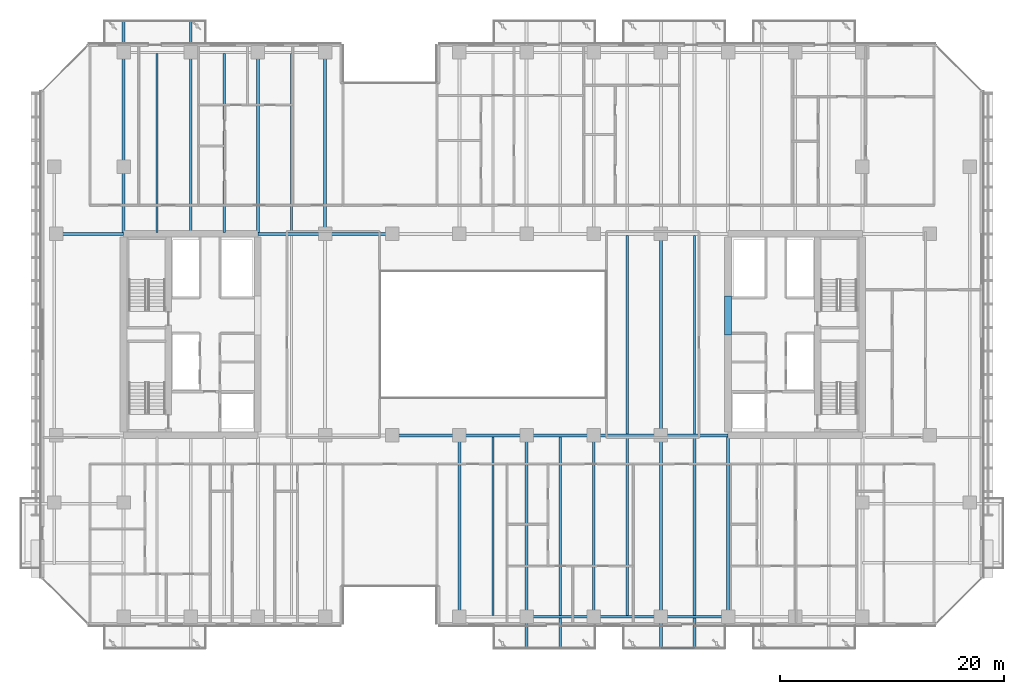
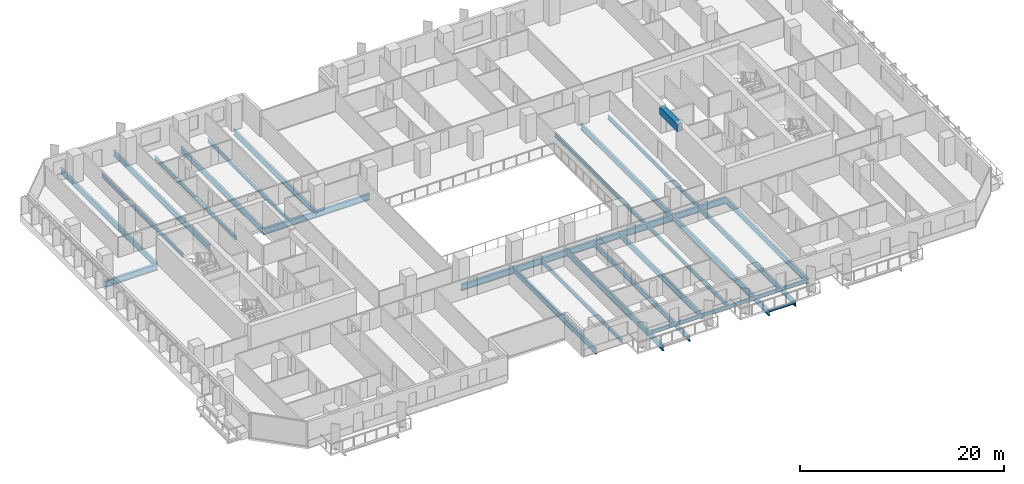
# One storey, part 7 of 33: 32 beams.
"""IFC4 building model written with IfcOpenShell, lengths in metres."""

from ifc_helpers import new_model, si_unit, direction, frame, origin, origin_2d, place, context, subcontext, project, spatial, rectangle, hollow_rectangle, i_section, extrude, material, material_profile, profile_set, type_object, element, save


model = new_model("IFC4")

# Units and contexts
model_context = context("Model", 3, precision=1e-05, world=origin(), true_north=direction((0.0, 1.0)))
body_context = subcontext(model_context, "Body", "Model", "MODEL_VIEW")
ifc_project = project(units=[si_unit("LENGTHUNIT", "METRE"), si_unit("AREAUNIT", "SQUARE_METRE"), si_unit("VOLUMEUNIT", "CUBIC_METRE"), si_unit("PLANEANGLEUNIT", "RADIAN"), si_unit("MASSUNIT", "GRAM", prefix="KILO")], contexts=[model_context])

# Site, building, storey
site_placement = place(None, origin())
site = spatial("IfcSite", under=ifc_project, at=site_placement, CompositionType="ELEMENT")
building_placement = place(site_placement, origin())
building = spatial("IfcBuilding", under=site, at=building_placement, Name="Tanjung Sevakor Pilgrim Tower", CompositionType="ELEMENT")
storey_placement = place(building_placement, frame((0.0, 0.0, 35.639892578125)))
storey = spatial("IfcBuildingStorey", under=building, at=storey_placement, Name="L09", CompositionType="ELEMENT", Elevation=35.639892578125)

# Beams
ifc_material_1 = material(Name="Steel S355J2", Category="steel")
ifc_material_profile_1 = material_profile(ifc_material_1, i_section(OverallWidth=0.26806640625, OverallDepth=0.769775390625, WebThickness=0.015625, FlangeThickness=0.025390625, FilletRadius=0.0166015625, at=origin_2d()))
ifc_profile_set_1 = profile_set([ifc_material_profile_1], Name="Steel S355J2")
beam_type_1 = type_object("IfcBeamType", Name="BM-B-G1-UB_762x267x197", PredefinedType="BEAM", material=ifc_profile_set_1)
for number, where, z_axis, x_axis, name in (
    (1, (48.0, 24.60009765625, -0.604736328125), (1.0, 0.0, 0.0), (0.0, 1.0, 0.0), "L09 Primary Floor Girder MAIN Y246-04"),
    (2, (54.0, 24.60009765625, -0.604736328125), (1.0, 0.0, 0.0), (0.0, 1.0, 0.0), "L09 Primary Floor Girder MAIN Y246-05"),
    (3, (60.0, 24.60009765625, -0.604736328125), (1.0, 0.0, 0.0), (0.0, 1.0, 0.0), "L09 Primary Floor Girder MAIN Y246-06"),
    (4, (66.0, 24.60009765625, -0.604736328125), (1.0, 0.0, 0.0), (0.0, 1.0, 0.0), "L09 Primary Floor Girder MAIN Y246-07"),
    (5, (72.0, 24.60009765625, -0.604736328125), (1.0, 0.0, 0.0), (0.0, 1.0, 0.0), "L09 Primary Floor Girder MAIN Y246-08"),
    (6, (18.0, 42.60009765625, -0.604736328125), (1.0, 0.0, 0.0), (0.0, 1.0, 0.0), "L09 Primary Floor Girder MAIN Y426-01"),
    (7, (36.0, 42.60009765625, -0.604736328125), (1.0, 0.0, 0.0), (0.0, 1.0, 0.0), "L09 Primary Floor Girder MAIN Y426-02"),
    (8, (42.0, 42.60009765625, -0.604736328125), (1.0, 0.0, 0.0), (0.0, 1.0, 0.0), "L09 Primary Floor Girder MAIN Y426-03"),
):
    element("IfcBeam", number, at=place(storey_placement, frame(where, z_axis=z_axis, x_axis=x_axis)), inside=storey, type_object=beam_type_1, Name=name, PredefinedType="BEAM", context=body_context, shape_type="SweptSolid", body=[
        extrude(i_section(OverallWidth=0.26806640625, OverallDepth=0.769775390625, WebThickness=0.015625, FlangeThickness=0.025390625, FilletRadius=0.0166015625, at=origin_2d()), origin(), (0.0, 0.0, 1.0), 6.0),
    ])
ifc_material_2 = material(Name="Steel S355J2", Category="steel")
ifc_material_profile_2 = material_profile(ifc_material_2, i_section(OverallWidth=0.25439453125, OverallDepth=0.6875, WebThickness=0.01318359375, FlangeThickness=0.02099609375, FilletRadius=0.01513671875, at=origin_2d()))
ifc_profile_set_2 = profile_set([ifc_material_profile_2], Name="Steel S355J2")
beam_type_2 = type_object("IfcBeamType", Name="BM-B-G2-UB_686x254x152", PredefinedType="BEAM", material=ifc_profile_set_2)
for number, where, z_axis, x_axis, name in (
    (9, (24.0, 42.73388671875, -0.5634765625), (0.0, 1.0, 0.0), (-1.0, 0.0, 0.0), "L09 Balcony Cantilever Beam MAIN-N1-1"),
    (10, (30.0, 42.73388671875, -0.5634765625), (0.0, 1.0, 0.0), (-1.0, 0.0, 0.0), "L09 Balcony Cantilever Beam MAIN-N1-2"),
):
    element("IfcBeam", number, at=place(storey_placement, frame(where, z_axis=z_axis, x_axis=x_axis)), inside=storey, type_object=beam_type_2, Name=name, PredefinedType="BEAM", context=body_context, shape_type="SweptSolid", body=[
        extrude(i_section(OverallWidth=0.25439453125, OverallDepth=0.6875, WebThickness=0.01318359375, FlangeThickness=0.02099609375, FilletRadius=0.01513671875, at=origin_2d()), origin(), (0.0, 0.0, 1.0), 18.84619140625),
    ])
beam_1_placement = place(storey_placement, frame((36.0, 42.73388671875, -0.5634765625), z_axis=(0.0, 1.0, 0.0), x_axis=(-1.0, 0.0, 0.0)))
element("IfcBeam", 11, at=beam_1_placement, inside=storey, type_object=beam_type_2, Name="L09 MAIN Girder 006", PredefinedType="BEAM", context=body_context, shape_type="SweptSolid", body=[
    extrude(i_section(OverallWidth=0.25439453125, OverallDepth=0.6875, WebThickness=0.01318359375, FlangeThickness=0.02099609375, FilletRadius=0.01513671875, at=origin_2d()), origin(), (0.0, 0.0, 1.0), 16.066162109375),
])
beam_2_placement = place(storey_placement, frame((42.0, 42.60009765625, -0.5634765625), z_axis=(0.0, 1.0, 0.0), x_axis=(-1.0, 0.0, 0.0)))
element("IfcBeam", 12, at=beam_2_placement, inside=storey, type_object=beam_type_2, Name="L09 MAIN Girder 012", PredefinedType="BEAM", context=body_context, shape_type="SweptSolid", body=[
    extrude(i_section(OverallWidth=0.25439453125, OverallDepth=0.6875, WebThickness=0.01318359375, FlangeThickness=0.02099609375, FilletRadius=0.01513671875, at=origin_2d()), origin(), (0.0, 0.0, 1.0), 16.199951171875),
])
beam_3_placement = place(storey_placement, frame((54.0, 8.39990234375, -0.5634765625), z_axis=(0.0, 1.0, 0.0), x_axis=(-1.0, 0.0, 0.0)))
element("IfcBeam", 13, at=beam_3_placement, inside=storey, type_object=beam_type_2, Name="L09 MAIN Girder 013", PredefinedType="BEAM", context=body_context, shape_type="SweptSolid", body=[
    extrude(i_section(OverallWidth=0.25439453125, OverallDepth=0.6875, WebThickness=0.01318359375, FlangeThickness=0.02099609375, FilletRadius=0.01513671875, at=origin_2d()), origin(), (0.0, 0.0, 1.0), 16.2001953125),
])
beam_4_placement = place(storey_placement, frame((60.0, 24.60009765625, -0.5634765625), z_axis=(0.0, -1.0, 0.0), x_axis=(1.0, 0.0, 0.0)))
element("IfcBeam", 14, at=beam_4_placement, inside=storey, type_object=beam_type_2, Name="L09 Balcony Cantilever Beam MAIN-S2-1", PredefinedType="BEAM", context=body_context, shape_type="SweptSolid", body=[
    extrude(i_section(OverallWidth=0.25439453125, OverallDepth=0.6875, WebThickness=0.01318359375, FlangeThickness=0.02099609375, FilletRadius=0.01513671875, at=origin_2d()), origin(), (0.0, 0.0, 1.0), 18.97998046875),
])
beam_5_placement = place(storey_placement, frame((66.0, 8.39990234375, -0.5634765625), z_axis=(0.0, 1.0, 0.0), x_axis=(-1.0, 0.0, 0.0)))
element("IfcBeam", 15, at=beam_5_placement, inside=storey, type_object=beam_type_2, Name="L09 MAIN Girder 017", PredefinedType="BEAM", context=body_context, shape_type="SweptSolid", body=[
    extrude(i_section(OverallWidth=0.25439453125, OverallDepth=0.6875, WebThickness=0.01318359375, FlangeThickness=0.02099609375, FilletRadius=0.01513671875, at=origin_2d()), origin(), (0.0, 0.0, 1.0), 16.2001953125),
])
beam_6_placement = place(storey_placement, frame((72.0, 24.60009765625, -0.5634765625), z_axis=(0.0, -1.0, 0.0), x_axis=(1.0, 0.0, 0.0)))
element("IfcBeam", 16, at=beam_6_placement, inside=storey, type_object=beam_type_2, Name="L09 Balcony Cantilever Beam MAIN-S3-1", PredefinedType="BEAM", context=body_context, shape_type="SweptSolid", body=[
    extrude(i_section(OverallWidth=0.25439453125, OverallDepth=0.6875, WebThickness=0.01318359375, FlangeThickness=0.02099609375, FilletRadius=0.01513671875, at=origin_2d()), origin(), (0.0, 0.0, 1.0), 18.97998046875),
])
beam_7_placement = place(storey_placement, frame((72.0, 24.60009765625, -0.5634765625), z_axis=(0.0, 1.0, 0.0), x_axis=(-1.0, 0.0, 0.0)))
element("IfcBeam", 17, at=beam_7_placement, inside=storey, type_object=beam_type_2, Name="L09 MAIN Girder 022", PredefinedType="BEAM", context=body_context, shape_type="SweptSolid", body=[
    extrude(i_section(OverallWidth=0.25439453125, OverallDepth=0.6875, WebThickness=0.01318359375, FlangeThickness=0.02099609375, FilletRadius=0.01513671875, at=origin_2d()), origin(), (0.0, 0.0, 1.0), 18.0),
])
beam_8_placement = place(storey_placement, frame((78.0, 8.39990234375, -0.5634765625), z_axis=(0.0, 1.0, 0.0), x_axis=(-1.0, 0.0, 0.0)))
element("IfcBeam", 18, at=beam_8_placement, inside=storey, type_object=beam_type_2, Name="L09 MAIN Girder 024", PredefinedType="BEAM", context=body_context, shape_type="SweptSolid", body=[
    extrude(i_section(OverallWidth=0.25439453125, OverallDepth=0.6875, WebThickness=0.01318359375, FlangeThickness=0.02099609375, FilletRadius=0.01513671875, at=origin_2d()), origin(), (0.0, 0.0, 1.0), 16.066162109375),
])
ifc_material_3 = material(Name="Steel S355J2", Category="steel")
ifc_material_profile_3 = material_profile(ifc_material_3, i_section(OverallWidth=0.22900390625, OverallDepth=0.6123046875, WebThickness=0.011962890625, FlangeThickness=0.01953125, FilletRadius=0.0126953125, at=origin_2d()))
ifc_profile_set_3 = profile_set([ifc_material_profile_3], Name="Steel S355J2")
beam_type_3 = type_object("IfcBeamType", Name="BM-B-G4-UB_610x229x125", PredefinedType="BEAM", material=ifc_profile_set_3)
for number, where, z_axis, x_axis, name in (
    (19, (63.0, 24.466064453125, -0.52587890625), (0.0, -1.0, 0.0), (1.0, 0.0, 0.0), "L09 Balcony Cantilever Beam MAIN-S2-2"),
    (20, (75.0, 24.466064453125, -0.52587890625), (0.0, -1.0, 0.0), (1.0, 0.0, 0.0), "L09 Balcony Cantilever Beam MAIN-S3-2"),
):
    element("IfcBeam", number, at=place(storey_placement, frame(where, z_axis=z_axis, x_axis=x_axis)), inside=storey, type_object=beam_type_3, Name=name, PredefinedType="BEAM", context=body_context, shape_type="SweptSolid", body=[
        extrude(i_section(OverallWidth=0.22900390625, OverallDepth=0.6123046875, WebThickness=0.011962890625, FlangeThickness=0.01953125, FilletRadius=0.0126953125, at=origin_2d()), origin(), (0.0, 0.0, 1.0), 18.845947265625),
    ])
ifc_material_4 = material(Name="Steel S355J2", Category="steel")
ifc_material_profile_4 = material_profile(ifc_material_4, i_section(OverallWidth=0.19140625, OverallDepth=0.4599609375, WebThickness=0.010009765625, FlangeThickness=0.01611328125, FilletRadius=0.01025390625, at=origin_2d()))
ifc_profile_set_4 = profile_set([ifc_material_profile_4], Name="Steel S355J2")
beam_type_4 = type_object("IfcBeamType", Name="BM-B-J2-UB_457x191x82", PredefinedType="JOIST", material=ifc_profile_set_4)
for number, where, z_axis, x_axis, name in (
    (21, (27.0, 42.73388671875, -0.449951171875), (0.0, 1.0, 0.0), (-1.0, 0.0, 0.0), "L09 MAIN Joist 002"),
    (22, (33.0, 42.73388671875, -0.449951171875), (0.0, 1.0, 0.0), (-1.0, 0.0, 0.0), "L09 MAIN Joist 004"),
    (23, (39.0, 42.73388671875, -0.449951171875), (0.0, 1.0, 0.0), (-1.0, 0.0, 0.0), "L09 MAIN Joist 009"),
    (24, (57.0, 8.5, -0.449951171875), (0.0, 1.0, 0.0), (-1.0, 0.0, 0.0), "L09 MAIN Joist 015"),
    (25, (69.0, 8.5, -0.449951171875), (0.0, 1.0, 0.0), (-1.0, 0.0, 0.0), "L09 MAIN Joist 019"),
):
    element("IfcBeam", number, at=place(storey_placement, frame(where, z_axis=z_axis, x_axis=x_axis)), inside=storey, type_object=beam_type_4, Name=name, PredefinedType="JOIST", context=body_context, shape_type="SweptSolid", body=[
        extrude(i_section(OverallWidth=0.19140625, OverallDepth=0.4599609375, WebThickness=0.010009765625, FlangeThickness=0.01611328125, FilletRadius=0.01025390625, at=origin_2d()), origin(), (0.0, 0.0, 1.0), 15.966064453125),
    ])
for number, where, z_axis, x_axis, name in (
    (26, (69.0, 24.73388671875, -0.449951171875), (0.0, 1.0, 0.0), (-1.0, 0.0, 0.0), "L09 MAIN Joist 020"),
    (27, (75.0, 24.73388671875, -0.449951171875), (0.0, 1.0, 0.0), (-1.0, 0.0, 0.0), "L09 MAIN Joist 023"),
):
    element("IfcBeam", number, at=place(storey_placement, frame(where, z_axis=z_axis, x_axis=x_axis)), inside=storey, type_object=beam_type_4, Name=name, PredefinedType="JOIST", context=body_context, shape_type="SweptSolid", body=[
        extrude(i_section(OverallWidth=0.19140625, OverallDepth=0.4599609375, WebThickness=0.010009765625, FlangeThickness=0.01611328125, FilletRadius=0.01025390625, at=origin_2d()), origin(), (0.0, 0.0, 1.0), 17.732177734375),
    ])
ifc_material_5 = material(Name="Steel S355J2", Category="steel")
ifc_material_profile_5 = material_profile(ifc_material_5, i_section(OverallWidth=0.146484375, OverallDepth=0.256103515625, WebThickness=0.00634765625, FlangeThickness=0.010986328125, FilletRadius=0.007568359375, at=origin_2d()))
ifc_profile_set_5 = profile_set([ifc_material_profile_5], Name="Steel S355J2")
beam_type_5 = type_object("IfcBeamType", Name="BM-B-J6-UB_254x146x37", PredefinedType="JOIST", material=ifc_profile_set_5)
beam_9_placement = place(storey_placement, frame((72.0, 5.6201171875, -0.327880859375), z_axis=(1.0, 0.0, 0.0), x_axis=(0.0, 1.0, 0.0)))
element("IfcBeam", 28, at=beam_9_placement, inside=storey, type_object=beam_type_5, Name="L09 Balcony Rim Tie MAIN-S3", PredefinedType="JOIST", context=body_context, shape_type="SweptSolid", body=[
    extrude(i_section(OverallWidth=0.146484375, OverallDepth=0.256103515625, WebThickness=0.00634765625, FlangeThickness=0.010986328125, FilletRadius=0.007568359375, at=origin_2d()), origin(), (0.0, 0.0, 1.0), 3.0),
])
ifc_material_6 = material(Name="Concrete C60/75", Category="concrete")
ifc_material_profile_6 = material_profile(ifc_material_6, rectangle(XDim=0.60009765625, YDim=0.89990234375, at=origin_2d()))
ifc_profile_set_6 = profile_set([ifc_material_profile_6], Name="Concrete C60/75")
beam_type_6 = type_object("IfcBeamType", Name="BM-B-LN1-RC-BM_600x900", PredefinedType="LINTEL", material=ifc_profile_set_6)
beam_10_placement = place(storey_placement, frame((78.0, 33.550048828125, 2.630126953125), z_axis=(0.0, 1.0, 0.0), x_axis=(-1.0, 0.0, 0.0)))
element("IfcBeam", 29, at=beam_10_placement, inside=storey, type_object=beam_type_6, Name="L09 E Core Coupling Lintel", PredefinedType="LINTEL", context=body_context, shape_type="SweptSolid", body=[
    extrude(rectangle(XDim=0.60009765625, YDim=0.89990234375, at=origin_2d()), origin(), (0.0, 0.0, 1.0), 3.5),
])
ifc_material_7 = material(Name="Steel S355J2", Category="steel")
ifc_material_profile_7 = material_profile(ifc_material_7, hollow_rectangle(XDim=0.199951171875, YDim=0.39990234375, WallThickness=0.01611328125, at=origin_2d()))
ifc_profile_set_7 = profile_set([ifc_material_profile_7], Name="Steel S355J2")
beam_type_7 = type_object("IfcBeamType", Name="BM-B-SP2-RHS_400x200x16", PredefinedType="SPANDREL", material=ifc_profile_set_7)
for number, where, z_axis, x_axis, name in (
    (30, (60.0, 8.39990234375, -0.419921875), (1.0, 0.0, 0.0), (0.0, 1.0, 0.0), "L09 Spandrel MAIN S-09"),
    (31, (66.0, 8.39990234375, -0.419921875), (1.0, 0.0, 0.0), (0.0, 1.0, 0.0), "L09 Spandrel MAIN S-11"),
    (32, (72.0, 8.39990234375, -0.419921875), (1.0, 0.0, 0.0), (0.0, 1.0, 0.0), "L09 Spandrel MAIN S-13"),
):
    element("IfcBeam", number, at=place(storey_placement, frame(where, z_axis=z_axis, x_axis=x_axis)), inside=storey, type_object=beam_type_7, Name=name, PredefinedType="SPANDREL", context=body_context, shape_type="SweptSolid", body=[
        extrude(hollow_rectangle(XDim=0.199951171875, YDim=0.39990234375, WallThickness=0.01611328125, at=origin_2d()), origin(), (0.0, 0.0, 1.0), 6.0),
    ])

save(model, "model.ifc")
